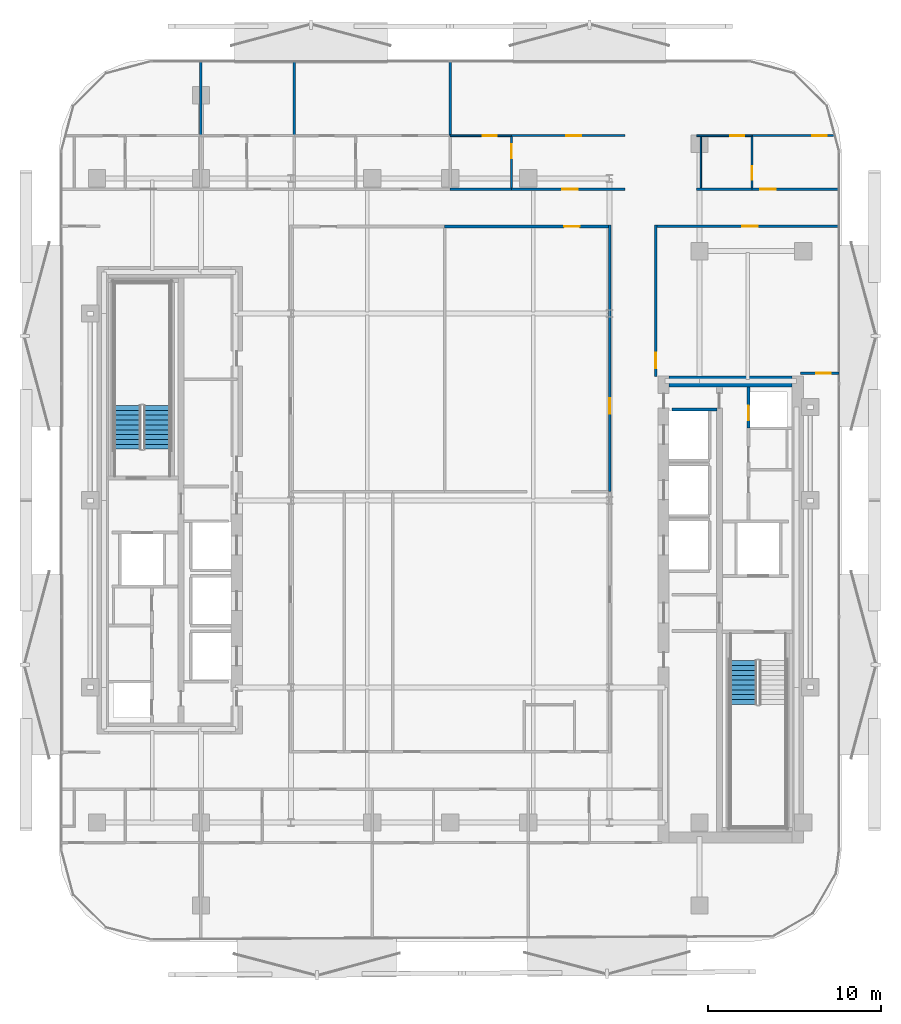
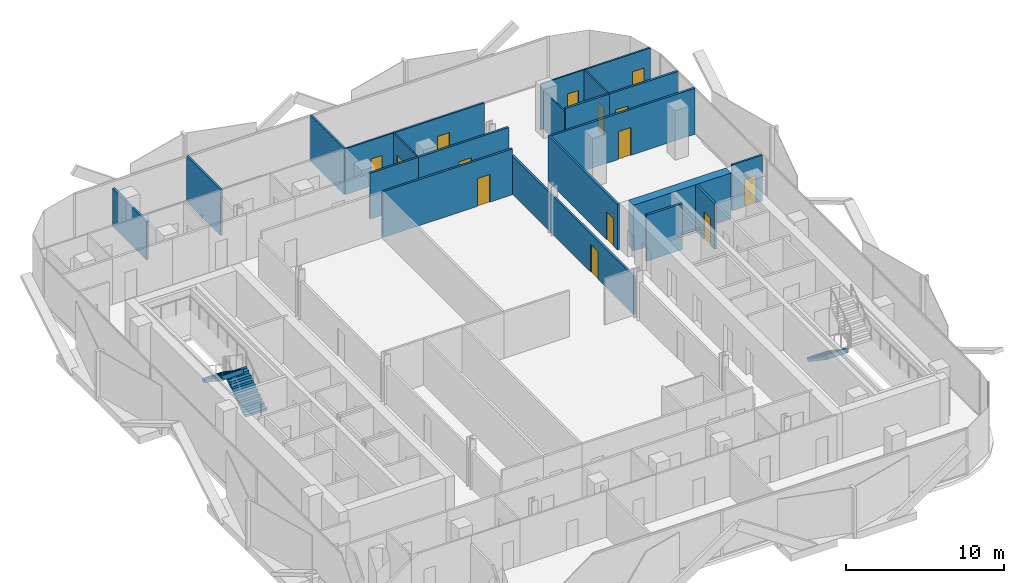
# One storey, part 7 of 17: 22 walls, 14 doors, 3 stair flights, 14 openings, 2 elements without a shape of their own.
"""IFC4 building model written with IfcOpenShell, lengths in metres."""

from ifc_helpers import new_model, si_unit, direction, frame, frame_2d, origin, place, context, subcontext, project, spatial, polyline, rectangle, outline, extrude, material, layer, layer_set, type_object, element, fill, aggregate, save


model = new_model("IFC4")

# Units and contexts
model_context = context("Model", 3, precision=1e-05, world=origin(), true_north=direction((0.0, 1.0)))
body_context = subcontext(model_context, "Body", "Model", "MODEL_VIEW")
ifc_project = project(units=[si_unit("LENGTHUNIT", "METRE"), si_unit("AREAUNIT", "SQUARE_METRE"), si_unit("VOLUMEUNIT", "CUBIC_METRE"), si_unit("PLANEANGLEUNIT", "RADIAN"), si_unit("MASSUNIT", "GRAM", prefix="KILO")], contexts=[model_context])

# Site, building, storey
site_placement = place(None, origin())
site = spatial("IfcSite", under=ifc_project, at=site_placement, CompositionType="ELEMENT")
building_placement = place(site_placement, origin())
building = spatial("IfcBuilding", under=site, at=building_placement, Name="Khairoan Windgate Tower", CompositionType="ELEMENT")
storey_placement = place(building_placement, frame((0.0, 0.0, 180.199951171875)))
storey = spatial("IfcBuildingStorey", under=building, at=storey_placement, Name="L41", CompositionType="ELEMENT", Elevation=180.199951171875)

# Wall, opening, door
ifc_material_1 = material(Name="Moisture-Resistant Gypsum Partition", Category="gypsum")
ifc_layer_1 = layer(ifc_material_1, 0.10009765625, Name="Moisture-Resistant Gypsum Partition")
ifc_layer_set_1 = layer_set([ifc_layer_1], Name="Moisture-Resistant Gypsum Partition")
wall_type_1 = type_object("IfcWallType", Name="Bathroom Wet-Area Partition Wall", PredefinedType="PARTITIONING", material=ifc_layer_set_1)
wall_1_placement = place(storey_placement, frame((3.5400390625, 18.054931640625, 0.0), z_axis=(0.0, 0.0, 1.0), x_axis=(0.0, 1.0, 0.0)))
wall_1 = element("IfcWall", 1, at=wall_1_placement, inside=storey, type_object=wall_type_1, Name="L41 Interior Partition 070", PredefinedType="PARTITIONING", context=body_context, shape_type="SweptSolid", body=[
    extrude(rectangle(XDim=2.965087890625, YDim=0.10009765625, at=frame_2d((1.482421875, 0.0))), origin(), (0.0, 0.0, 1.0), 3.5400390625),
])
opening_1_placement = place(wall_1_placement, frame((1.705078125, 0.0, 0.0)))
opening_1 = element("IfcOpeningElement", 2, at=opening_1_placement, cuts=wall_1, Name="Opening ID-BTH", PredefinedType="OPENING", context=body_context, shape_type="SweptSolid", body=[
    extrude(rectangle(XDim=0.800048828125, YDim=2.10009765625, at=frame_2d((0.39990234375, 1.050048828125))), frame((0.0, 0.06005859375, 0.0), z_axis=(0.0, -1.0, 0.0), x_axis=(1.0, 0.0, 0.0)), (0.0, 0.0, 1.0), 0.1201171875),
])
ifc_material_2 = material(Name="Teak Veneer Timber Leaf", Category="wood")
door_type_1 = type_object("IfcDoorType", Name="Internal Bathroom Door ID-BTH 800x2100", OperationType="NOTDEFINED", PredefinedType="DOOR", material=ifc_material_2)
door_1_placement = place(opening_1_placement, origin())
door_1 = element("IfcDoor", 3, at=door_1_placement, inside=storey, type_object=door_type_1, Name="L41 L41-48-L41-49 Door", OperationType="SINGLE_SWING_LEFT", OverallHeight=2.10009765625, OverallWidth=0.800048828125, PredefinedType="DOOR", context=body_context, shape_type="SweptSolid", body=[
    extrude(rectangle(XDim=0.800048828125, YDim=2.10009765625, at=frame_2d((0.39990234375, 1.050048828125))), frame((0.0, 0.02490234375, 0.0), z_axis=(0.0, -1.0, 0.0), x_axis=(1.0, 0.0, 0.0)), (0.0, 0.0, 1.0), 0.050048828125),
])
fill(opening_1, door_1)

wall_2_placement = place(storey_placement, frame((0.0, 21.070068359375, 0.0), z_axis=(0.0, 0.0, 1.0), x_axis=(1.0, 0.0, 0.0)))
wall_2 = element("IfcWall", 4, at=wall_2_placement, inside=storey, type_object=wall_type_1, Name="L41 Interior Partition 071", PredefinedType="PARTITIONING", context=body_context, shape_type="SweptSolid", body=[
    extrude(rectangle(XDim=3.5400390625, YDim=0.10009765625, at=frame_2d((1.77001953125, 0.0))), origin(), (0.0, 0.0, 1.0), 3.5400390625),
])
opening_2_placement = place(wall_2_placement, frame((1.87548828125, 0.0, 0.0)))
opening_2 = element("IfcOpeningElement", 5, at=opening_2_placement, cuts=wall_2, Name="Opening ID-BTH", PredefinedType="OPENING", context=body_context, shape_type="SweptSolid", body=[
    extrude(rectangle(XDim=0.800048828125, YDim=2.10009765625, at=frame_2d((0.39990234375, 1.050048828125))), frame((0.0, 0.06005859375, 0.0), z_axis=(0.0, -1.0, 0.0), x_axis=(1.0, 0.0, 0.0)), (0.0, 0.0, 1.0), 0.1201171875),
])
door_2_placement = place(opening_2_placement, origin())
door_2 = element("IfcDoor", 6, at=door_2_placement, inside=storey, type_object=door_type_1, Name="L41 L41-48-L41-50 Door", OperationType="SINGLE_SWING_RIGHT", OverallHeight=2.10009765625, OverallWidth=0.800048828125, PredefinedType="DOOR", context=body_context, shape_type="SweptSolid", body=[
    extrude(rectangle(XDim=0.800048828125, YDim=2.10009765625, at=frame_2d((0.39990234375, 1.050048828125))), frame((0.0, 0.02490234375, 0.0), z_axis=(0.0, -1.0, 0.0), x_axis=(1.0, 0.0, 0.0)), (0.0, 0.0, 1.0), 0.050048828125),
])
fill(opening_2, door_2)

wall_3_placement = place(storey_placement, frame((17.43603515625, 18.054931640625, 0.0), z_axis=(0.0, 0.0, 1.0), x_axis=(0.0, 1.0, 0.0)))
wall_3 = element("IfcWall", 7, at=wall_3_placement, inside=storey, type_object=wall_type_1, Name="L41 Interior Partition 073", PredefinedType="PARTITIONING", context=body_context, shape_type="SweptSolid", body=[
    extrude(rectangle(XDim=2.965087890625, YDim=0.10009765625, at=frame_2d((1.482421875, 0.0))), origin(), (0.0, 0.0, 1.0), 3.5400390625),
])
opening_3_placement = place(wall_3_placement, frame((0.4599609375, 0.0, 0.0)))
opening_3 = element("IfcOpeningElement", 8, at=opening_3_placement, cuts=wall_3, Name="Opening ID-BTH", PredefinedType="OPENING", context=body_context, shape_type="SweptSolid", body=[
    extrude(rectangle(XDim=0.800048828125, YDim=2.10009765625, at=frame_2d((0.39990234375, 1.050048828125))), frame((0.0, 0.06005859375, 0.0), z_axis=(0.0, -1.0, 0.0), x_axis=(1.0, 0.0, 0.0)), (0.0, 0.0, 1.0), 0.1201171875),
])
door_3_placement = place(opening_3_placement, origin())
door_3 = element("IfcDoor", 9, at=door_3_placement, inside=storey, type_object=door_type_1, Name="L41 L41-51-L41-52 Door", OperationType="SINGLE_SWING_RIGHT", OverallHeight=2.10009765625, OverallWidth=0.800048828125, PredefinedType="DOOR", context=body_context, shape_type="SweptSolid", body=[
    extrude(rectangle(XDim=0.800048828125, YDim=2.10009765625, at=frame_2d((0.39990234375, 1.050048828125))), frame((0.0, 0.02490234375, 0.0), z_axis=(0.0, -1.0, 0.0), x_axis=(1.0, 0.0, 0.0)), (0.0, 0.0, 1.0), 0.050048828125),
])
fill(opening_3, door_3)

wall_4_placement = place(storey_placement, frame((14.239990234375, 21.070068359375, 0.0), z_axis=(0.0, 0.0, 1.0), x_axis=(1.0, 0.0, 0.0)))
wall_4 = element("IfcWall", 10, at=wall_4_placement, inside=storey, type_object=wall_type_1, Name="L41 Interior Partition 074", PredefinedType="PARTITIONING", context=body_context, shape_type="SweptSolid", body=[
    extrude(rectangle(XDim=3.196044921875, YDim=0.10009765625, at=frame_2d((1.59814453125, 0.0))), origin(), (0.0, 0.0, 1.0), 3.5400390625),
])
opening_4_placement = place(wall_4_placement, frame((1.93603515625, 0.0, 0.0)))
opening_4 = element("IfcOpeningElement", 11, at=opening_4_placement, cuts=wall_4, Name="Opening ID-BTH", PredefinedType="OPENING", context=body_context, shape_type="SweptSolid", body=[
    extrude(rectangle(XDim=0.800048828125, YDim=2.10009765625, at=frame_2d((0.39990234375, 1.050048828125))), frame((0.0, 0.06005859375, 0.0), z_axis=(0.0, -1.0, 0.0), x_axis=(1.0, 0.0, 0.0)), (0.0, 0.0, 1.0), 0.1201171875),
])
door_4_placement = place(opening_4_placement, origin())
door_4 = element("IfcDoor", 12, at=door_4_placement, inside=storey, type_object=door_type_1, Name="L41 L41-51-L41-53 Door", OperationType="SINGLE_SWING_LEFT", OverallHeight=2.10009765625, OverallWidth=0.800048828125, PredefinedType="DOOR", context=body_context, shape_type="SweptSolid", body=[
    extrude(rectangle(XDim=0.800048828125, YDim=2.10009765625, at=frame_2d((0.39990234375, 1.050048828125))), frame((0.0, 0.02490234375, 0.0), z_axis=(0.0, -1.0, 0.0), x_axis=(1.0, 0.0, 0.0)), (0.0, 0.0, 1.0), 0.050048828125),
])
fill(opening_4, door_4)

# Walls
wall_5_placement = place(storey_placement, frame((14.47998046875, 18.054931640625, 0.0), z_axis=(0.0, 0.0, 1.0), x_axis=(0.0, 1.0, 0.0)))
element("IfcWall", 13, at=wall_5_placement, inside=storey, type_object=wall_type_1, Name="L41 Wet Room Side Wall 099", PredefinedType="PARTITIONING", context=body_context, shape_type="SweptSolid", body=[
    extrude(rectangle(XDim=2.965087890625, YDim=0.10009765625, at=frame_2d((1.482421875, 0.0))), origin(), (0.0, 0.0, 1.0), 2.9521484375),
])
ifc_material_3 = material(Name="Concrete C40/50", Category="concrete")
ifc_layer_2 = layer(ifc_material_3, 0.159912109375, Name="Concrete C40/50")
ifc_layer_set_2 = layer_set([ifc_layer_2], Name="Concrete C40/50")
wall_type_2 = type_object("IfcWallType", Name="Core and Hoistway Enclosure Wall", PredefinedType="STANDARD", material=ifc_layer_set_2)
wall_6_placement = place(storey_placement, frame((12.800048828125, 5.25, 0.0), z_axis=(0.0, 0.0, 1.0), x_axis=(1.0, 0.0, 0.0)))
element("IfcWall", 14, at=wall_6_placement, inside=storey, type_object=wall_type_2, Name="L41 Core Shaft Wall SW-ESV-L41", PredefinedType="STANDARD", context=body_context, shape_type="SweptSolid", body=[
    extrude(rectangle(XDim=2.599853515625, YDim=0.159912109375, at=frame_2d((1.2998046875, 0.0))), origin(), (0.0, 0.0, 1.0), 3.5400390625),
])
ifc_material_4 = material(Name="Acoustic Fire-Rated Gypsum Partition", Category="gypsum")
ifc_layer_3 = layer(ifc_material_4, 0.139892578125, Name="Acoustic Fire-Rated Gypsum Partition")
ifc_layer_set_3 = layer_set([ifc_layer_3], Name="Acoustic Fire-Rated Gypsum Partition")
wall_type_3 = type_object("IfcWallType", Name="Inter-Tenancy Compartment Wall", PredefinedType="PARTITIONING", material=ifc_layer_set_3)
wall_7_placement = place(storey_placement, frame((-14.39990234375, 21.070068359375, 0.0), z_axis=(0.0, 0.0, 1.0), x_axis=(0.0, 1.0, 0.0)))
element("IfcWall", 15, at=wall_7_placement, inside=storey, type_object=wall_type_3, Name="L41 Interior Partition 059", PredefinedType="PARTITIONING", context=body_context, shape_type="SweptSolid", body=[
    extrude(rectangle(XDim=4.284912109375, YDim=0.139892578125, at=frame_2d((2.142578125, 0.0))), origin(), (0.0, 0.0, 1.0), 2.9521484375),
])
for number, where, z_axis, x_axis, name in (
    (16, (-9.0, 21.070068359375, 0.0), (0.0, 0.0, 1.0), (0.0, 1.0, 0.0), "L41 Interior Partition 064"),
    (17, (0.0, 21.070068359375, 0.0), (0.0, 0.0, 1.0), (0.0, 1.0, 0.0), "L41 Interior Partition 069"),
):
    element("IfcWall", number, at=place(storey_placement, frame(where, z_axis=z_axis, x_axis=x_axis)), inside=storey, type_object=wall_type_3, Name=name, PredefinedType="PARTITIONING", context=body_context, shape_type="SweptSolid", body=[
        extrude(rectangle(XDim=4.284912109375, YDim=0.139892578125, at=frame_2d((2.142578125, 0.0))), origin(), (0.0, 0.0, 1.0), 3.5400390625),
    ])

# Wall, opening, door
wall_8_placement = place(storey_placement, frame((20.239990234375, 7.340087890625, 0.0), z_axis=(0.0, 0.0, 1.0), x_axis=(1.0, 0.0, 0.0)))
wall_8 = element("IfcWall", 18, at=wall_8_placement, inside=storey, type_object=wall_type_3, Name="L41 Interior Partition 094", PredefinedType="PARTITIONING", context=body_context, shape_type="SweptSolid", body=[
    extrude(rectangle(XDim=2.215087890625, YDim=0.139892578125, at=frame_2d((1.107421875, 0.0))), origin(), (0.0, 0.0, 1.0), 3.5400390625),
])
opening_5_placement = place(wall_8_placement, frame((0.905029296875, 0.0, 0.0)))
opening_5 = element("IfcOpeningElement", 19, at=opening_5_placement, cuts=wall_8, Name="Opening FD-SRV", PredefinedType="OPENING", context=body_context, shape_type="SweptSolid", body=[
    extrude(rectangle(XDim=0.85009765625, YDim=2.10009765625, at=frame_2d((0.425048828125, 1.050048828125))), frame((0.0, 0.079833984375, 0.0), z_axis=(0.0, -1.0, 0.0), x_axis=(1.0, 0.0, 0.0)), (0.0, 0.0, 1.0), 0.159912109375),
])
ifc_material_5 = material(Name="Steel S355", Category="steel")
door_type_2 = type_object("IfcDoorType", Name="Core Service and Riser Fire Door FD-SRV 850x2100", OperationType="NOTDEFINED", PredefinedType="DOOR", material=ifc_material_5)
door_5_placement = place(opening_5_placement, origin())
door_5 = element("IfcDoor", 20, at=door_5_placement, inside=storey, type_object=door_type_2, Name="L41 L41-66-L41-68 Door", OperationType="SINGLE_SWING_LEFT", OverallHeight=2.10009765625, OverallWidth=0.85009765625, PredefinedType="DOOR", context=body_context, shape_type="SweptSolid", body=[
    extrude(rectangle(XDim=0.85009765625, YDim=2.10009765625, at=frame_2d((0.425048828125, 1.050048828125))), frame((0.0, 0.02490234375, 0.0), z_axis=(0.0, -1.0, 0.0), x_axis=(1.0, 0.0, 0.0)), (0.0, 0.0, 1.0), 0.050048828125),
])
fill(opening_5, door_5)

ifc_material_6 = material(Name="Gypsum Stud Partition", Category="gypsum")
ifc_layer_4 = layer(ifc_material_6, 0.1201171875, Name="Gypsum Stud Partition")
ifc_layer_set_4 = layer_set([ifc_layer_4], Name="Gypsum Stud Partition")
wall_type_4 = type_object("IfcWallType", Name="Internal Room Partition Wall", PredefinedType="PARTITIONING", material=ifc_layer_set_4)
wall_9_placement = place(storey_placement, frame((3.5400390625, 21.070068359375, 0.0), z_axis=(0.0, 0.0, 1.0), x_axis=(1.0, 0.0, 0.0)))
wall_9 = element("IfcWall", 21, at=wall_9_placement, inside=storey, type_object=wall_type_4, Name="L41 Interior Partition 072", PredefinedType="PARTITIONING", context=body_context, shape_type="SweptSolid", body=[
    extrude(rectangle(XDim=6.570068359375, YDim=0.1201171875, at=frame_2d((3.28515625, 0.0))), origin(), (0.0, 0.0, 1.0), 3.5400390625),
])
opening_6_placement = place(wall_9_placement, frame((3.16748046875, 0.0, 0.0)))
opening_6 = element("IfcOpeningElement", 22, at=opening_6_placement, cuts=wall_9, Name="Opening ID-RM", PredefinedType="OPENING", context=body_context, shape_type="SweptSolid", body=[
    extrude(rectangle(XDim=0.860107421875, YDim=2.14990234375, at=frame_2d((0.43017578125, 1.074951171875))), frame((0.0, 0.070068359375, 0.0), z_axis=(0.0, -1.0, 0.0), x_axis=(1.0, 0.0, 0.0)), (0.0, 0.0, 1.0), 0.14013671875),
])
ifc_material_7 = material(Name="Teak Veneer Timber Leaf", Category="wood")
door_type_3 = type_object("IfcDoorType", Name="Internal Bedroom and Office Door ID-RM 860x2150", OperationType="NOTDEFINED", PredefinedType="DOOR", material=ifc_material_7)
door_6_placement = place(opening_6_placement, origin())
door_6 = element("IfcDoor", 23, at=door_6_placement, inside=storey, type_object=door_type_3, Name="L41 L41-49-L41-50 Door", OperationType="SINGLE_SWING_LEFT", OverallHeight=2.14990234375, OverallWidth=0.860107421875, PredefinedType="DOOR", context=body_context, shape_type="SweptSolid", body=[
    extrude(rectangle(XDim=0.860107421875, YDim=2.14990234375, at=frame_2d((0.43017578125, 1.074951171875))), frame((0.0, 0.02490234375, 0.0), z_axis=(0.0, -1.0, 0.0), x_axis=(1.0, 0.0, 0.0)), (0.0, 0.0, 1.0), 0.050048828125),
])
fill(opening_6, door_6)

wall_10_placement = place(storey_placement, frame((17.43603515625, 21.070068359375, 0.0), z_axis=(0.0, 0.0, 1.0), x_axis=(1.0, 0.0, 0.0)))
wall_10 = element("IfcWall", 24, at=wall_10_placement, inside=storey, type_object=wall_type_4, Name="L41 Interior Partition 075", PredefinedType="PARTITIONING", context=body_context, shape_type="SweptSolid", body=[
    extrude(rectangle(XDim=4.78369140625, YDim=0.1201171875, at=frame_2d((2.391845703125, 0.0))), origin(), (0.0, 0.0, 1.0), 3.5400390625),
])
opening_7_placement = place(wall_10_placement, frame((3.4638671875, 0.0, 0.0)))
opening_7 = element("IfcOpeningElement", 25, at=opening_7_placement, cuts=wall_10, Name="Opening ID-RM", PredefinedType="OPENING", context=body_context, shape_type="SweptSolid", body=[
    extrude(rectangle(XDim=0.860107421875, YDim=2.14990234375, at=frame_2d((0.43017578125, 1.074951171875))), frame((0.0, 0.070068359375, 0.0), z_axis=(0.0, -1.0, 0.0), x_axis=(1.0, 0.0, 0.0)), (0.0, 0.0, 1.0), 0.14013671875),
])
door_7_placement = place(opening_7_placement, origin())
door_7 = element("IfcDoor", 26, at=door_7_placement, inside=storey, type_object=door_type_3, Name="L41 L41-52-L41-53 Door", OperationType="SINGLE_SWING_RIGHT", OverallHeight=2.14990234375, OverallWidth=0.860107421875, PredefinedType="DOOR", context=body_context, shape_type="SweptSolid", body=[
    extrude(rectangle(XDim=0.860107421875, YDim=2.14990234375, at=frame_2d((0.43017578125, 1.074951171875))), frame((0.0, 0.02490234375, 0.0), z_axis=(0.0, -1.0, 0.0), x_axis=(1.0, 0.0, 0.0)), (0.0, 0.0, 1.0), 0.050048828125),
])
fill(opening_7, door_7)

ifc_material_8 = material(Name="Concrete C40/50", Category="concrete")
ifc_layer_5 = layer(ifc_material_8, 0.159912109375, Name="Concrete C40/50")
ifc_layer_set_5 = layer_set([ifc_layer_5], Name="Concrete C40/50")
wall_type_5 = type_object("IfcWallType", Name="Plant and Refuge Compartment Wall", PredefinedType="PARTITIONING", material=ifc_layer_set_5)
wall_11_placement = place(storey_placement, frame((17.22998046875, 4.169921875, 0.0), z_axis=(0.0, 0.0, 1.0), x_axis=(0.0, 1.0, 0.0)))
wall_11 = element("IfcWall", 27, at=wall_11_placement, inside=storey, type_object=wall_type_5, Name="L41 Interior Partition 007", PredefinedType="PARTITIONING", context=body_context, shape_type="SweptSolid", body=[
    extrude(rectangle(XDim=2.380126953125, YDim=0.159912109375, at=frame_2d((1.18994140625, 0.0))), origin(), (0.0, 0.0, 1.0), 3.5400390625),
])
opening_8_placement = place(wall_11_placement, frame((0.4599609375, 0.0, 0.0)))
opening_8 = element("IfcOpeningElement", 28, at=opening_8_placement, cuts=wall_11, Name="Opening FD-SRV", PredefinedType="OPENING", context=body_context, shape_type="SweptSolid", body=[
    extrude(rectangle(XDim=0.85009765625, YDim=2.10009765625, at=frame_2d((0.425048828125, 1.050048828125))), frame((0.0, 0.08984375, 0.0), z_axis=(0.0, -1.0, 0.0), x_axis=(1.0, 0.0, 0.0)), (0.0, 0.0, 1.0), 0.179931640625),
])
door_8_placement = place(opening_8_placement, origin())
door_8 = element("IfcDoor", 29, at=door_8_placement, inside=storey, type_object=door_type_2, Name="L41 L41-18-L41-19 Door", OperationType="SINGLE_SWING_LEFT", OverallHeight=2.10009765625, OverallWidth=0.85009765625, PredefinedType="DOOR", context=body_context, shape_type="SweptSolid", body=[
    extrude(rectangle(XDim=0.85009765625, YDim=2.10009765625, at=frame_2d((0.425048828125, 1.050048828125))), frame((0.0, 0.02490234375, 0.0), z_axis=(0.0, -1.0, 0.0), x_axis=(1.0, 0.0, 0.0)), (0.0, 0.0, 1.0), 0.050048828125),
])
fill(opening_8, door_8)

ifc_material_9 = material(Name="Acoustic Fire-Rated Gypsum Partition", Category="gypsum")
ifc_layer_6 = layer(ifc_material_9, 0.14990234375, Name="Acoustic Fire-Rated Gypsum Partition")
ifc_layer_set_6 = layer_set([ifc_layer_6], Name="Acoustic Fire-Rated Gypsum Partition")
wall_type_6 = type_object("IfcWallType", Name="Rated Corridor Partition Wall", PredefinedType="PARTITIONING", material=ifc_layer_set_6)
wall_12_placement = place(storey_placement, frame((9.219970703125, 0.5, 0.0), z_axis=(0.0, 0.0, 1.0), x_axis=(0.0, 1.0, 0.0)))
wall_12 = element("IfcWall", 30, at=wall_12_placement, inside=storey, type_object=wall_type_6, Name="L41 Interior Partition 015", PredefinedType="PARTITIONING", context=body_context, shape_type="SweptSolid", body=[
    extrude(rectangle(XDim=15.39501953125, YDim=0.14990234375, at=frame_2d((7.697509765625, 0.0))), origin(), (0.0, 0.0, 1.0), 2.9521484375),
])
opening_9_placement = place(wall_12_placement, frame((4.51220703125, 0.0, 0.0)))
opening_9 = element("IfcOpeningElement", 31, at=opening_9_placement, cuts=wall_12, Name="Opening FD-ENT", PredefinedType="OPENING", context=body_context, shape_type="SweptSolid", body=[
    extrude(rectangle(XDim=0.89990234375, YDim=2.14990234375, at=frame_2d((0.449951171875, 1.074951171875))), frame((0.0, 0.0849609375, 0.0), z_axis=(0.0, -1.0, 0.0), x_axis=(1.0, 0.0, 0.0)), (0.0, 0.0, 1.0), 0.169921875),
])
ifc_material_10 = material(Name="Timber Fire-Rated Core", Category="wood")
door_type_4 = type_object("IfcDoorType", Name="Unit and Office Fire Entrance Door FD-ENT 900x2150", OperationType="NOTDEFINED", PredefinedType="DOOR", material=ifc_material_10)
door_9_placement = place(opening_9_placement, origin())
door_9 = element("IfcDoor", 32, at=door_9_placement, inside=storey, type_object=door_type_4, Name="L41 L41-29-L41-38 Door", OperationType="SINGLE_SWING_LEFT", OverallHeight=2.14990234375, OverallWidth=0.89990234375, PredefinedType="DOOR", context=body_context, shape_type="SweptSolid", body=[
    extrude(rectangle(XDim=0.89990234375, YDim=2.14990234375, at=frame_2d((0.449951171875, 1.074951171875))), frame((0.0, 0.02490234375, 0.0), z_axis=(0.0, -1.0, 0.0), x_axis=(1.0, 0.0, 0.0)), (0.0, 0.0, 1.0), 0.050048828125),
])
fill(opening_9, door_9)

wall_13_placement = place(storey_placement, frame((11.8798828125, 7.159912109375, 0.0), z_axis=(0.0, 0.0, 1.0), x_axis=(0.0, 1.0, 0.0)))
wall_13 = element("IfcWall", 33, at=wall_13_placement, inside=storey, type_object=wall_type_6, Name="L41 Interior Partition 016", PredefinedType="PARTITIONING", context=body_context, shape_type="SweptSolid", body=[
    extrude(rectangle(XDim=8.755126953125, YDim=0.14990234375, at=frame_2d((4.37744140625, 0.0))), origin(), (0.0, 0.0, 1.0), 3.5400390625),
])
opening_10_placement = place(wall_13_placement, frame((0.4599609375, 0.0, 0.0)))
opening_10 = element("IfcOpeningElement", 34, at=opening_10_placement, cuts=wall_13, Name="Opening FD-ENT", PredefinedType="OPENING", context=body_context, shape_type="SweptSolid", body=[
    extrude(rectangle(XDim=0.89990234375, YDim=2.14990234375, at=frame_2d((0.449951171875, 1.074951171875))), frame((0.0, 0.0849609375, 0.0), z_axis=(0.0, -1.0, 0.0), x_axis=(1.0, 0.0, 0.0)), (0.0, 0.0, 1.0), 0.169921875),
])
door_10_placement = place(opening_10_placement, origin())
door_10 = element("IfcDoor", 35, at=door_10_placement, inside=storey, type_object=door_type_4, Name="L41 L41-29-L41-66 Door", OperationType="SINGLE_SWING_RIGHT", OverallHeight=2.14990234375, OverallWidth=0.89990234375, PredefinedType="DOOR", context=body_context, shape_type="SweptSolid", body=[
    extrude(rectangle(XDim=0.89990234375, YDim=2.14990234375, at=frame_2d((0.449951171875, 1.074951171875))), frame((0.0, 0.02490234375, 0.0), z_axis=(0.0, -1.0, 0.0), x_axis=(1.0, 0.0, 0.0)), (0.0, 0.0, 1.0), 0.050048828125),
])
fill(opening_10, door_10)

wall_14_placement = place(storey_placement, frame((-0.320068359375, 15.820068359375, 0.0), z_axis=(0.0, 0.0, 1.0), x_axis=(1.0, 0.0, 0.0)))
wall_14 = element("IfcWall", 36, at=wall_14_placement, inside=storey, type_object=wall_type_6, Name="L41 Interior Partition 018", PredefinedType="PARTITIONING", context=body_context, shape_type="SweptSolid", body=[
    extrude(rectangle(XDim=9.465087890625, YDim=0.14990234375, at=frame_2d((4.732421875, 0.0))), origin(), (0.0, 0.0, 1.0), 3.5400390625),
])
opening_11_placement = place(wall_14_placement, frame((6.89794921875, 0.0, 0.0)))
opening_11 = element("IfcOpeningElement", 37, at=opening_11_placement, cuts=wall_14, Name="Opening FD-ENT", PredefinedType="OPENING", context=body_context, shape_type="SweptSolid", body=[
    extrude(rectangle(XDim=0.89990234375, YDim=2.14990234375, at=frame_2d((0.449951171875, 1.074951171875))), frame((0.0, 0.0849609375, 0.0), z_axis=(0.0, -1.0, 0.0), x_axis=(1.0, 0.0, 0.0)), (0.0, 0.0, 1.0), 0.169921875),
])
door_11_placement = place(opening_11_placement, origin())
door_11 = element("IfcDoor", 38, at=door_11_placement, inside=storey, type_object=door_type_4, Name="L41 L41-30-L41-38 Door", OperationType="SINGLE_SWING_RIGHT", OverallHeight=2.14990234375, OverallWidth=0.89990234375, PredefinedType="DOOR", context=body_context, shape_type="SweptSolid", body=[
    extrude(rectangle(XDim=0.89990234375, YDim=2.14990234375, at=frame_2d((0.449951171875, 1.074951171875))), frame((0.0, 0.02490234375, 0.0), z_axis=(0.0, -1.0, 0.0), x_axis=(1.0, 0.0, 0.0)), (0.0, 0.0, 1.0), 0.050048828125),
])
fill(opening_11, door_11)

# Wall
wall_15_placement = place(storey_placement, frame((0.0, 17.97998046875, 0.0), z_axis=(0.0, 0.0, 1.0), x_axis=(1.0, 0.0, 0.0)))
element("IfcWall", 39, at=wall_15_placement, inside=storey, type_object=wall_type_6, Name="L41 Interior Partition 025", PredefinedType="PARTITIONING", context=body_context, shape_type="SweptSolid", body=[
    extrude(rectangle(XDim=3.5400390625, YDim=0.14990234375, at=frame_2d((1.77001953125, 0.0))), origin(), (0.0, 0.0, 1.0), 3.5400390625),
])

# Wall, opening, door
wall_16_placement = place(storey_placement, frame((3.5400390625, 17.97998046875, 0.0), z_axis=(0.0, 0.0, 1.0), x_axis=(1.0, 0.0, 0.0)))
wall_16 = element("IfcWall", 40, at=wall_16_placement, inside=storey, type_object=wall_type_6, Name="L41 Interior Partition 026", PredefinedType="PARTITIONING", context=body_context, shape_type="SweptSolid", body=[
    extrude(rectangle(XDim=6.570068359375, YDim=0.14990234375, at=frame_2d((3.28515625, 0.0))), origin(), (0.0, 0.0, 1.0), 3.5400390625),
])
opening_12_placement = place(wall_16_placement, frame((2.938232421875, 0.0, 0.0)))
opening_12 = element("IfcOpeningElement", 41, at=opening_12_placement, cuts=wall_16, Name="Opening FD-ENT", PredefinedType="OPENING", context=body_context, shape_type="SweptSolid", body=[
    extrude(rectangle(XDim=0.89990234375, YDim=2.14990234375, at=frame_2d((0.449951171875, 1.074951171875))), frame((0.0, 0.0849609375, 0.0), z_axis=(0.0, -1.0, 0.0), x_axis=(1.0, 0.0, 0.0)), (0.0, 0.0, 1.0), 0.169921875),
])
door_12_placement = place(opening_12_placement, origin())
door_12 = element("IfcDoor", 42, at=door_12_placement, inside=storey, type_object=door_type_4, Name="L41 L41-30-L41-49 Door", OperationType="SINGLE_SWING_RIGHT", OverallHeight=2.14990234375, OverallWidth=0.89990234375, PredefinedType="DOOR", context=body_context, shape_type="SweptSolid", body=[
    extrude(rectangle(XDim=0.89990234375, YDim=2.14990234375, at=frame_2d((0.449951171875, 1.074951171875))), frame((0.0, 0.02490234375, 0.0), z_axis=(0.0, -1.0, 0.0), x_axis=(1.0, 0.0, 0.0)), (0.0, 0.0, 1.0), 0.050048828125),
])
fill(opening_12, door_12)

# Wall
wall_17_placement = place(storey_placement, frame((14.239990234375, 17.97998046875, 0.0), z_axis=(0.0, 0.0, 1.0), x_axis=(1.0, 0.0, 0.0)))
element("IfcWall", 43, at=wall_17_placement, inside=storey, type_object=wall_type_6, Name="L41 Interior Partition 027", PredefinedType="PARTITIONING", context=body_context, shape_type="SweptSolid", body=[
    extrude(rectangle(XDim=3.196044921875, YDim=0.14990234375, at=frame_2d((1.59814453125, 0.0))), origin(), (0.0, 0.0, 1.0), 3.5400390625),
])

# Wall, opening, door
wall_18_placement = place(storey_placement, frame((17.43603515625, 17.97998046875, 0.0), z_axis=(0.0, 0.0, 1.0), x_axis=(1.0, 0.0, 0.0)))
wall_18 = element("IfcWall", 44, at=wall_18_placement, inside=storey, type_object=wall_type_6, Name="L41 Interior Partition 028", PredefinedType="PARTITIONING", context=body_context, shape_type="SweptSolid", body=[
    extrude(rectangle(XDim=5.01904296875, YDim=0.14990234375, at=frame_2d((2.509521484375, 0.0))), origin(), (0.0, 0.0, 1.0), 3.5400390625),
])
opening_13_placement = place(wall_18_placement, frame((0.4599609375, 0.0, 0.0)))
opening_13 = element("IfcOpeningElement", 45, at=opening_13_placement, cuts=wall_18, Name="Opening FD-ENT", PredefinedType="OPENING", context=body_context, shape_type="SweptSolid", body=[
    extrude(rectangle(XDim=0.89990234375, YDim=2.14990234375, at=frame_2d((0.449951171875, 1.074951171875))), frame((0.0, 0.0849609375, 0.0), z_axis=(0.0, -1.0, 0.0), x_axis=(1.0, 0.0, 0.0)), (0.0, 0.0, 1.0), 0.169921875),
])
door_13_placement = place(opening_13_placement, origin())
door_13 = element("IfcDoor", 46, at=door_13_placement, inside=storey, type_object=door_type_4, Name="L41 L41-30-L41-52 Door", OperationType="SINGLE_SWING_LEFT", OverallHeight=2.14990234375, OverallWidth=0.89990234375, PredefinedType="DOOR", context=body_context, shape_type="SweptSolid", body=[
    extrude(rectangle(XDim=0.89990234375, YDim=2.14990234375, at=frame_2d((0.449951171875, 1.074951171875))), frame((0.0, 0.02490234375, 0.0), z_axis=(0.0, -1.0, 0.0), x_axis=(1.0, 0.0, 0.0)), (0.0, 0.0, 1.0), 0.050048828125),
])
fill(opening_13, door_13)

wall_19_placement = place(storey_placement, frame((11.955078125, 15.840087890625, 0.0), z_axis=(0.0, 0.0, 1.0), x_axis=(1.0, 0.0, 0.0)))
wall_19 = element("IfcWall", 47, at=wall_19_placement, inside=storey, type_object=wall_type_6, Name="L41 Interior Partition 029", PredefinedType="PARTITIONING", context=body_context, shape_type="SweptSolid", body=[
    extrude(rectangle(XDim=10.5, YDim=0.14990234375, at=frame_2d((5.25, 0.0))), origin(), (0.0, 0.0, 1.0), 3.5400390625),
])
opening_14_placement = place(wall_19_placement, frame((4.90087890625, 0.0, 0.0)))
opening_14 = element("IfcOpeningElement", 48, at=opening_14_placement, cuts=wall_19, Name="Opening FD-ENT", PredefinedType="OPENING", context=body_context, shape_type="SweptSolid", body=[
    extrude(rectangle(XDim=0.89990234375, YDim=2.14990234375, at=frame_2d((0.449951171875, 1.074951171875))), frame((0.0, 0.0849609375, 0.0), z_axis=(0.0, -1.0, 0.0), x_axis=(1.0, 0.0, 0.0)), (0.0, 0.0, 1.0), 0.169921875),
])
door_14_placement = place(opening_14_placement, origin())
door_14 = element("IfcDoor", 49, at=door_14_placement, inside=storey, type_object=door_type_4, Name="L41 L41-30-L41-66 Door", OperationType="SINGLE_SWING_RIGHT", OverallHeight=2.14990234375, OverallWidth=0.89990234375, PredefinedType="DOOR", context=body_context, shape_type="SweptSolid", body=[
    extrude(rectangle(XDim=0.89990234375, YDim=2.14990234375, at=frame_2d((0.449951171875, 1.074951171875))), frame((0.0, 0.02490234375, 0.0), z_axis=(0.0, -1.0, 0.0), x_axis=(1.0, 0.0, 0.0)), (0.0, 0.0, 1.0), 0.050048828125),
])
fill(opening_14, door_14)

# Wall
ifc_material_11 = material(Name="Concrete C60/75", Category="concrete")
ifc_layer_7 = layer(ifc_material_11, 0.64990234375, Name="Concrete C60/75")
ifc_layer_set_7 = layer_set([ifc_layer_7], Name="Concrete C60/75")
wall_type_7 = type_object("IfcWallType", Name="Shear Wall CW-E2 650mm", PredefinedType="SHEAR", material=ifc_layer_set_7)
wall_20_placement = place(storey_placement, frame((12.64990234375, 6.875, 0.0), z_axis=(0.0, 0.0, 1.0), x_axis=(1.0, 0.0, 0.0)))
element("IfcWall", 50, at=wall_20_placement, inside=storey, type_object=wall_type_7, Name="E Core North Shear Wall L41", PredefinedType="SHEAR", context=body_context, shape_type="SweptSolid", body=[
    extrude(rectangle(XDim=7.10009765625, YDim=0.64990234375, at=frame_2d((3.550048828125, 0.0))), origin(), (0.0, 0.0, 1.0), 3.5400390625),
])

# Stair, stair flight
ifc_material_12 = material(Name="Concrete C40/50", Category="concrete")
stair_type = type_object("IfcStairType", Name="Tower Core Dog-Leg Stair ST-T1 1560mm", PredefinedType="HALF_TURN_STAIR", material=ifc_material_12)
stair_1_placement = place(storey_placement, origin())
stair_1 = element("IfcStair", 51, at=stair_1_placement, inside=storey, type_object=stair_type, Name="L41 Stair ST1", PredefinedType="HALF_TURN_STAIR")
ifc_material_13 = material(Name="Concrete C40/50", Category="concrete")
ifc_layer_8 = layer(ifc_material_13, 0.14990234375, Name="Concrete C40/50")
ifc_layer_set_8 = layer_set([ifc_layer_8], Name="Concrete C40/50")
stair_flight_type = type_object("IfcStairFlightType", Name="Tower Core Stair Flight STF-1560", PredefinedType="STRAIGHT", material=ifc_layer_set_8)
stair_flight_1_placement = place(storey_placement, frame((16.929931640625, -9.260009765625, 0.0), z_axis=(0.0, 0.0, 1.0), x_axis=(0.0, -1.0, 0.0)))
stair_flight_1 = element("IfcStairFlight", 52, at=stair_flight_1_placement, type_object=stair_flight_type, Name="ST1 flight 1", NumberOfRisers=10, NumberOfTreads=9, PredefinedType="STRAIGHT", RiserHeight=0.19, TreadLength=0.28, context=body_context, shape_type="SweptSolid", body=[
    extrude(outline(polyline([(-0.00390625, 0.0), (-0.00390625, 0.18994140625), (0.0, 0.18994140625), (0.280029296875, 0.18994140625), (0.280029296875, 0.3798828125), (0.56005859375, 0.3798828125), (0.56005859375, 0.570068359375), (0.840087890625, 0.570068359375), (0.840087890625, 0.760009765625), (1.1201171875, 0.760009765625), (1.1201171875, 0.949951171875), (1.39990234375, 0.949951171875), (1.39990234375, 1.139892578125), (1.679931640625, 1.139892578125), (1.679931640625, 1.330078125), (1.9599609375, 1.330078125), (1.9599609375, 1.52001953125), (2.239990234375, 1.52001953125), (2.239990234375, 1.7099609375), (2.52001953125, 1.7099609375), (2.52001953125, 1.89990234375), (2.52392578125, 1.89990234375), (2.52392578125, 1.52880859375), (0.266845703125, 0.0), (-0.00390625, 0.0)])), frame((0.0, 0.780029296875, 0.0), z_axis=(0.0, -1.0, 0.0), x_axis=(1.0, 0.0, 0.0)), (0.0, 0.0, 1.0), 1.56005859375),
])
aggregate(stair_1, [stair_flight_1])

# Stair, stair flights
stair_2_placement = place(storey_placement, origin())
stair_2 = element("IfcStair", 53, at=stair_2_placement, inside=storey, type_object=stair_type, Name="L41 Stair ST2", PredefinedType="HALF_TURN_STAIR")
stair_flight_2_placement = place(storey_placement, frame((-16.929931640625, 2.9599609375, 0.0), z_axis=(0.0, 0.0, 1.0), x_axis=(0.0, 1.0, 0.0)))
stair_flight_2 = element("IfcStairFlight", 54, at=stair_flight_2_placement, type_object=stair_flight_type, Name="ST2 flight 1", NumberOfRisers=10, NumberOfTreads=9, PredefinedType="STRAIGHT", RiserHeight=0.19, TreadLength=0.28, context=body_context, shape_type="SweptSolid", body=[
    extrude(outline(polyline([(-0.00390625, 0.0), (-0.00390625, 0.18994140625), (0.0, 0.18994140625), (0.280029296875, 0.18994140625), (0.280029296875, 0.3798828125), (0.56005859375, 0.3798828125), (0.56005859375, 0.570068359375), (0.840087890625, 0.570068359375), (0.840087890625, 0.760009765625), (1.1201171875, 0.760009765625), (1.1201171875, 0.949951171875), (1.39990234375, 0.949951171875), (1.39990234375, 1.139892578125), (1.679931640625, 1.139892578125), (1.679931640625, 1.330078125), (1.9599609375, 1.330078125), (1.9599609375, 1.52001953125), (2.239990234375, 1.52001953125), (2.239990234375, 1.7099609375), (2.52001953125, 1.7099609375), (2.52001953125, 1.89990234375), (2.52392578125, 1.89990234375), (2.52392578125, 1.52880859375), (0.266845703125, 0.0), (-0.00390625, 0.0)])), frame((0.0, 0.780029296875, 0.0), z_axis=(0.0, -1.0, 0.0), x_axis=(1.0, 0.0, 0.0)), (0.0, 0.0, 1.0), 1.56005859375),
])
stair_flight_3_placement = place(storey_placement, frame((-18.639892578125, 5.47998046875, 1.900146484375), z_axis=(0.0, 0.0, 1.0), x_axis=(0.0, -1.0, 0.0)))
stair_flight_3 = element("IfcStairFlight", 55, at=stair_flight_3_placement, type_object=stair_flight_type, Name="ST2 flight 2", NumberOfRisers=10, NumberOfTreads=9, PredefinedType="STRAIGHT", RiserHeight=0.19, TreadLength=0.28, context=body_context, shape_type="SweptSolid", body=[
    extrude(outline(polyline([(-0.00390625, 0.0), (-0.00390625, 0.18994140625), (0.0, 0.18994140625), (0.280029296875, 0.18994140625), (0.280029296875, 0.3798828125), (0.56005859375, 0.3798828125), (0.56005859375, 0.570068359375), (0.840087890625, 0.570068359375), (0.840087890625, 0.760009765625), (1.1201171875, 0.760009765625), (1.1201171875, 0.949951171875), (1.39990234375, 0.949951171875), (1.39990234375, 1.139892578125), (1.679931640625, 1.139892578125), (1.679931640625, 1.330078125), (1.9599609375, 1.330078125), (1.9599609375, 1.52001953125), (2.239990234375, 1.52001953125), (2.239990234375, 1.7099609375), (2.52001953125, 1.7099609375), (2.52001953125, 1.89990234375), (2.52392578125, 1.89990234375), (2.52392578125, 1.52880859375), (0.266845703125, 0.0), (-0.00390625, 0.0)])), frame((0.0, 0.780029296875, 0.0), z_axis=(0.0, -1.0, 0.0), x_axis=(1.0, 0.0, 0.0)), (0.0, 0.0, 1.0), 1.56005859375),
])
aggregate(stair_2, [stair_flight_2, stair_flight_3])

save(model, "model.ifc")
